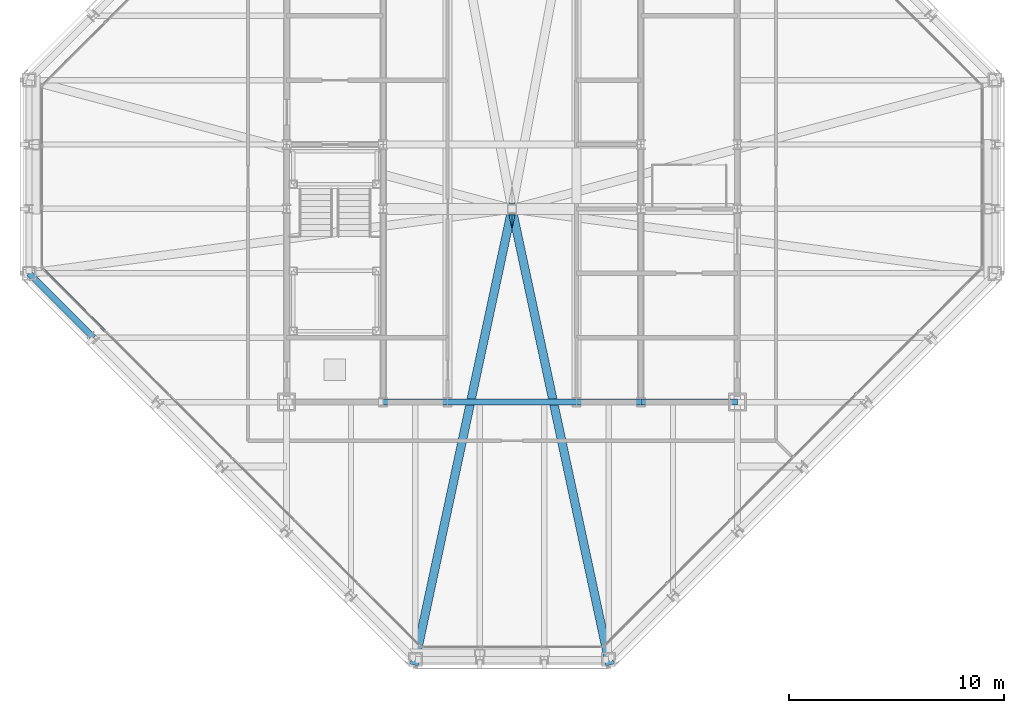
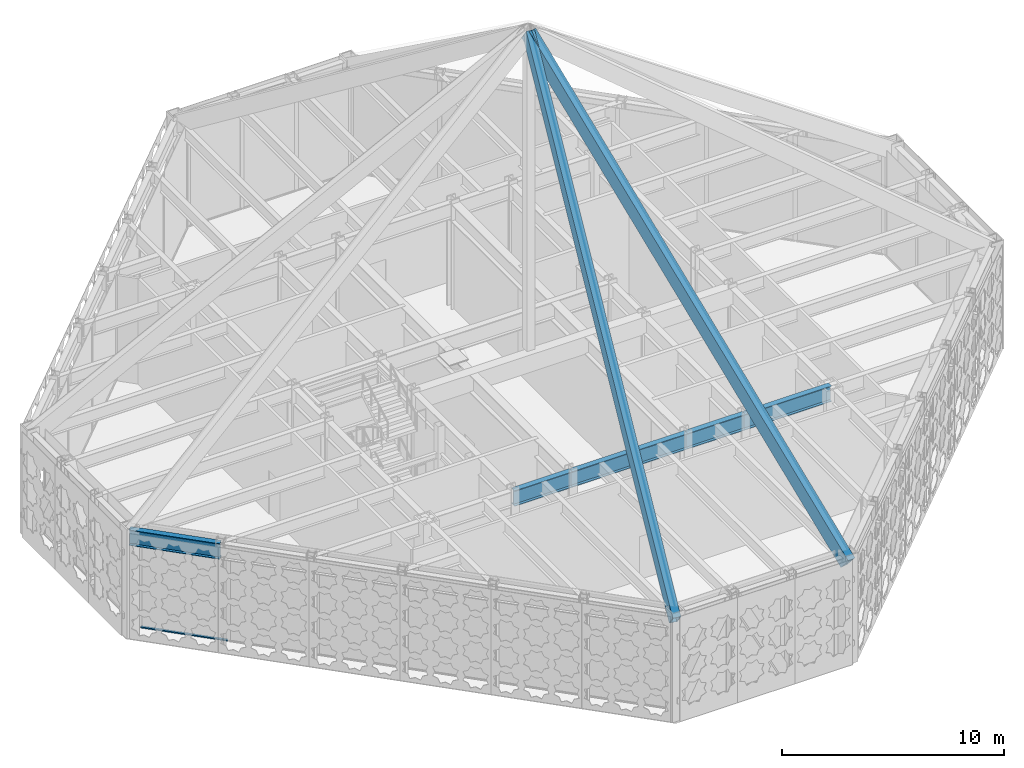
# One storey, part 5 of 30: 5 beams, 3 members, 1 element without a shape of its own.
"""IFC4 building model written with IfcOpenShell, lengths in metres."""

from ifc_helpers import new_model, si_unit, direction, frame, origin, origin_2d, place, context, subcontext, project, spatial, rectangle, hollow_rectangle, i_section, extrude, material, layer, layer_set, material_profile, profile_set, type_object, element, aggregate, save


model = new_model("IFC4")

# Units and contexts
model_context = context("Model", 3, precision=1e-05, world=origin(), true_north=direction((0.0, 1.0)))
body_context = subcontext(model_context, "Body", "Model", "MODEL_VIEW")
ifc_project = project(units=[si_unit("LENGTHUNIT", "METRE"), si_unit("AREAUNIT", "SQUARE_METRE"), si_unit("VOLUMEUNIT", "CUBIC_METRE"), si_unit("PLANEANGLEUNIT", "RADIAN"), si_unit("MASSUNIT", "GRAM", prefix="KILO")], contexts=[model_context])

# Site, building, storey
site_placement = place(None, origin())
site = spatial("IfcSite", under=ifc_project, at=site_placement, CompositionType="ELEMENT")
building_placement = place(site_placement, origin())
building = spatial("IfcBuilding", under=site, at=building_placement, Name="Chuquiago Exchange Tower", CompositionType="ELEMENT")
storey_placement = place(building_placement, frame((0.0, 0.0, 306.0)))
storey = spatial("IfcBuildingStorey", under=building, at=storey_placement, Name="L68", CompositionType="ELEMENT", Elevation=306.0)

# Beams
ifc_material_1 = material(Name="Steel ASTM A992", Category="steel")
ifc_material_profile_1 = material_profile(ifc_material_1, i_section(OverallWidth=0.2919921875, OverallDepth=0.8583984375, WebThickness=0.01708984375, FlangeThickness=0.031005859375, at=origin_2d()), Name="W33X169")
ifc_profile_set_1 = profile_set([ifc_material_profile_1], Name="Steel ASTM A992")
beam_type_1 = type_object("IfcBeamType", Name="B3 W33X169", PredefinedType="BEAM", material=ifc_profile_set_1)
beam_1_placement = place(storey_placement, frame((16.5, 12.0, 5.37060546875), z_axis=(1.0, 0.0, 0.0), x_axis=(0.0, 1.0, 0.0)))
element("IfcBeam", 1, at=beam_1_placement, inside=storey, type_object=beam_type_1, Name="CB-ROOF-16.5_12-19.5_12", PredefinedType="BEAM", context=body_context, shape_type="SweptSolid", body=[
    extrude(i_section(OverallWidth=0.2919921875, OverallDepth=0.8583984375, WebThickness=0.01708984375, FlangeThickness=0.031005859375, at=origin_2d()), origin(), (0.0, 0.0, 1.0), 3.0),
])
beam_2_placement = place(storey_placement, frame((19.5, 12.0, 5.37060546875), z_axis=(1.0, 0.0, 0.0), x_axis=(0.0, 1.0, 0.0)))
element("IfcBeam", 2, at=beam_2_placement, inside=storey, type_object=beam_type_1, Name="CB-ROOF-19.5_12-25.5_12", PredefinedType="BEAM", context=body_context, shape_type="SweptSolid", body=[
    extrude(i_section(OverallWidth=0.2919921875, OverallDepth=0.8583984375, WebThickness=0.01708984375, FlangeThickness=0.031005859375, at=origin_2d()), origin(), (0.0, 0.0, 1.0), 6.0),
])
beam_3_placement = place(storey_placement, frame((25.5, 12.0, 5.37060546875), z_axis=(1.0, 0.0, 0.0), x_axis=(0.0, 1.0, 0.0)))
element("IfcBeam", 3, at=beam_3_placement, inside=storey, type_object=beam_type_1, Name="CB-ROOF-25.5_12-28.5_12", PredefinedType="BEAM", context=body_context, shape_type="SweptSolid", body=[
    extrude(i_section(OverallWidth=0.2919921875, OverallDepth=0.8583984375, WebThickness=0.01708984375, FlangeThickness=0.031005859375, at=origin_2d()), origin(), (0.0, 0.0, 1.0), 3.0),
])
beam_4_placement = place(storey_placement, frame((28.5, 12.0, 5.37060546875), z_axis=(1.0, 0.0, 0.0), x_axis=(0.0, 1.0, 0.0)))
element("IfcBeam", 4, at=beam_4_placement, inside=storey, type_object=beam_type_1, Name="CB-ROOF-28.5_12-33_12", PredefinedType="BEAM", context=body_context, shape_type="SweptSolid", body=[
    extrude(i_section(OverallWidth=0.2919921875, OverallDepth=0.8583984375, WebThickness=0.01708984375, FlangeThickness=0.031005859375, at=origin_2d()), origin(), (0.0, 0.0, 1.0), 4.5),
])

# Members
ifc_material_2 = material(Name="Steel ASTM A572 Grade 50", Category="steel")
ifc_material_profile_2 = material_profile(ifc_material_2, hollow_rectangle(XDim=0.39990234375, YDim=0.800048828125, WallThickness=0.0400390625, at=origin_2d()), Name="BOX800X400X40")
ifc_profile_set_2 = profile_set([ifc_material_profile_2], Name="Steel ASTM A572 Grade 50")
member_type_1 = type_object("IfcMemberType", Name="CR1 BOX800X400X40", PredefinedType="RAFTER", material=ifc_profile_set_2)
for number, where, z_axis, x_axis, name in (
    (5, (18.0, 0.0, 5.359619140625), (0.160586318272, 0.749402818601, 0.642345273087), (-0.977802414077, 0.209529088731, 0.0), "Crown hip rafter at 18_0"),
    (6, (27.0, 0.0, 5.359619140625), (-0.160586318272, 0.749402818601, 0.642345273087), (-0.977802414077, -0.209529088731, 0.0), "Crown hip rafter at 27_0"),
):
    element("IfcMember", number, at=place(storey_placement, frame(where, z_axis=z_axis, x_axis=x_axis)), inside=storey, type_object=member_type_1, Name=name, PredefinedType="RAFTER", context=body_context, shape_type="SweptSolid", body=[
        extrude(hollow_rectangle(XDim=0.39990234375, YDim=0.800048828125, WallThickness=0.0400390625, at=origin_2d()), origin(), (0.0, 0.0, 1.0), 28.022216796875),
    ])

# Curtain wall, member
ifc_material_3 = material(Name="Aluminium curtain wall system", Category="aluminium")
ifc_layer = layer(ifc_material_3, 0.199951171875)
ifc_layer_set = layer_set([ifc_layer], Name="CW5 lantern curtain wall")
curtain_wall_type = type_object("IfcCurtainWallType", Name="CW5 lantern curtain wall", PredefinedType="NOTDEFINED", material=ifc_layer_set)
curtain_wall_placement = place(storey_placement, origin())
curtain_wall = element("IfcCurtainWall", 7, at=curtain_wall_placement, inside=storey, type_object=curtain_wall_type, Name="CW5 curtain wall L68", PredefinedType="NOTDEFINED")
ifc_material_4 = material(Name="Aluminium transom, pale anodised", Category="aluminium")
ifc_material_profile_3 = material_profile(ifc_material_4, rectangle(XDim=0.1201171875, YDim=0.06005859375, at=origin_2d()), Name="AL 120x60")
ifc_profile_set_3 = profile_set([ifc_material_profile_3], Name="Aluminium transom, pale anodised")
member_type_2 = type_object("IfcMemberType", Name="CW5-T transom 60x120", PredefinedType="MULLION", material=ifc_profile_set_3)
member_placement = place(storey_placement, frame((0.677734375, 18.170654296875, 0.030029296875), z_axis=(0.707136835667, -0.707076725429, 0.0), x_axis=(0.707076725429, 0.707136835667, 0.0)))
member = element("IfcMember", 8, at=member_placement, type_object=member_type_2, Name="CW5 transom 1.1", PredefinedType="MULLION", context=body_context, shape_type="SweptSolid", body=[
    extrude(rectangle(XDim=0.1201171875, YDim=0.06005859375, at=origin_2d()), origin(), (0.0, 0.0, 1.0), 4.0615234375),
])
aggregate(curtain_wall, [member])

# Beam
ifc_material_5 = material(Name="Steel ASTM A992", Category="steel")
ifc_material_profile_4 = material_profile(ifc_material_5, i_section(OverallWidth=0.2919921875, OverallDepth=0.8583984375, WebThickness=0.01708984375, FlangeThickness=0.031005859375, at=origin_2d()), Name="W33X169")
ifc_profile_set_4 = profile_set([ifc_material_profile_4], Name="Steel ASTM A992")
beam_type_2 = type_object("IfcBeamType", Name="SP4 W33X169", PredefinedType="SPANDREL", material=ifc_profile_set_4)
beam_5_placement = place(storey_placement, frame((0.0, 18.0, 5.37060546875), z_axis=(0.707106781187, -0.707106781187, 0.0), x_axis=(0.707106781187, 0.707106781187, 0.0)))
element("IfcBeam", 9, at=beam_5_placement, inside=storey, type_object=beam_type_2, Name="SPB-ROOF-0_18-3_15", PredefinedType="SPANDREL", context=body_context, shape_type="SweptSolid", body=[
    extrude(i_section(OverallWidth=0.2919921875, OverallDepth=0.8583984375, WebThickness=0.01708984375, FlangeThickness=0.031005859375, at=origin_2d()), origin(), (0.0, 0.0, 1.0), 4.24267578125),
])

save(model, "model.ifc")
